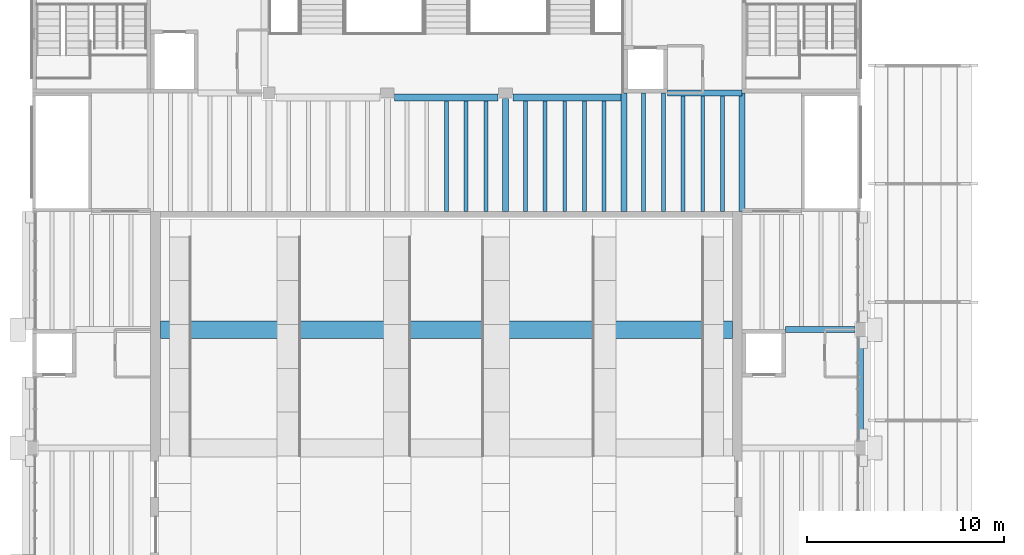
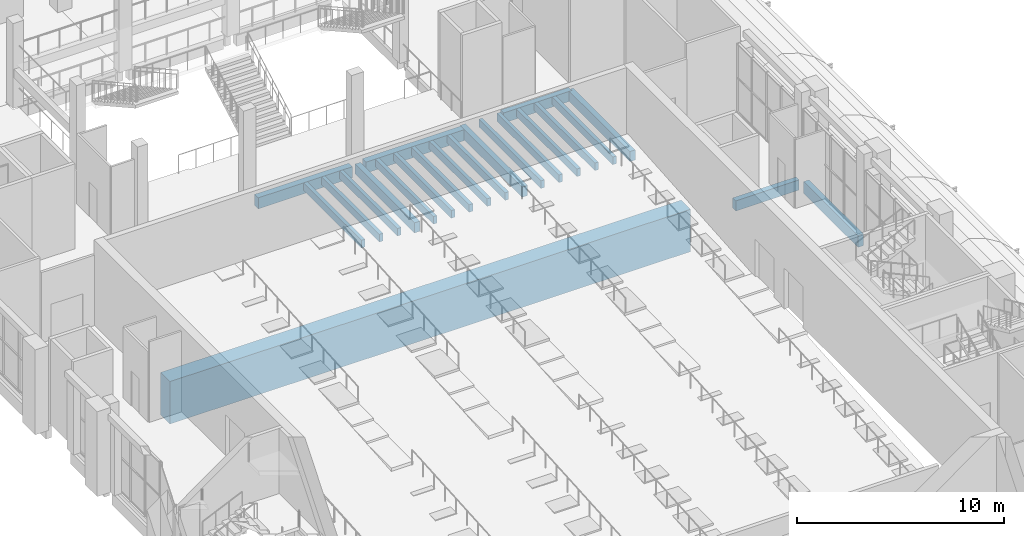
# One storey, part 22 of 80: 22 beams.
"""IFC4 building model written with IfcOpenShell, lengths in metres."""

from ifc_helpers import new_model, si_unit, direction, frame, origin, origin_2d, place, context, subcontext, project, spatial, rectangle, extrude, material, material_profile, profile_set, type_object, element, save


model = new_model("IFC4")

# Units and contexts
model_context = context("Model", 3, precision=1e-05, world=origin(), true_north=direction((0.0, 1.0)))
body_context = subcontext(model_context, "Body", "Model", "MODEL_VIEW")
ifc_project = project(units=[si_unit("LENGTHUNIT", "METRE"), si_unit("AREAUNIT", "SQUARE_METRE"), si_unit("VOLUMEUNIT", "CUBIC_METRE"), si_unit("PLANEANGLEUNIT", "RADIAN"), si_unit("MASSUNIT", "GRAM", prefix="KILO")], contexts=[model_context])

# Site, building, storey
site_placement = place(None, origin())
site = spatial("IfcSite", under=ifc_project, at=site_placement, CompositionType="ELEMENT")
building_placement = place(site_placement, origin())
building = spatial("IfcBuilding", under=site, at=building_placement, Name="Saffron Lane Theatres", CompositionType="ELEMENT")
storey_placement = place(building_placement, frame((0.0, 0.0, 7.0)))
storey = spatial("IfcBuildingStorey", under=building, at=storey_placement, Name="L01", CompositionType="ELEMENT", Elevation=7.0)

# Beams
ifc_material_1 = material(Name="Concrete N40 (40 MPa)", Category="concrete")
ifc_material_profile_1 = material_profile(ifc_material_1, rectangle(XDim=0.300048828125, YDim=0.60009765625, at=origin_2d()))
ifc_profile_set_1 = profile_set([ifc_material_profile_1], Name="Concrete N40 (40 MPa)")
beam_type_1 = type_object("IfcBeamType", Name="RC-BEAM 300x600", PredefinedType="BEAM", material=ifc_profile_set_1)
beam_1_placement = place(storey_placement, frame((50.199951171875, 84.0, -0.550048828125), z_axis=(1.0, 0.0, 0.0), x_axis=(0.0, 1.0, 0.0)))
element("IfcBeam", 1, at=beam_1_placement, inside=storey, type_object=beam_type_1, Name="beam-L01-x840-502", PredefinedType="BEAM", context=body_context, shape_type="SweptSolid", body=[
    extrude(rectangle(XDim=0.300048828125, YDim=0.60009765625, at=origin_2d()), origin(), (0.0, 0.0, 1.0), 3.525146484375),
])
beam_2_placement = place(storey_placement, frame((44.199951171875, 96.0, -0.550048828125), z_axis=(1.0, 0.0, 0.0), x_axis=(0.0, 1.0, 0.0)))
element("IfcBeam", 2, at=beam_2_placement, inside=storey, type_object=beam_type_1, Name="beam-L01-x960-442", PredefinedType="BEAM", context=body_context, shape_type="SweptSolid", body=[
    extrude(rectangle(XDim=0.300048828125, YDim=0.60009765625, at=origin_2d()), origin(), (0.0, 0.0, 1.0), 3.800048828125),
])
beam_3_placement = place(storey_placement, frame((36.0, 90.0, -0.550048828125), z_axis=(0.0, 1.0, 0.0), x_axis=(-1.0, 0.0, 0.0)))
element("IfcBeam", 3, at=beam_3_placement, inside=storey, type_object=beam_type_1, Name="beam-L01-y360-900", PredefinedType="BEAM", context=body_context, shape_type="SweptSolid", body=[
    extrude(rectangle(XDim=0.300048828125, YDim=0.60009765625, at=origin_2d()), origin(), (0.0, 0.0, 1.0), 5.72509765625),
])
for number, where, z_axis, x_axis, name in (
    (4, (42.0, 90.0, -0.550048828125), (0.0, 1.0, 0.0), (-1.0, 0.0, 0.0), "beam-L01-y420-900"),
    (5, (48.0, 90.0, -0.550048828125), (0.0, 1.0, 0.0), (-1.0, 0.0, 0.0), "beam-L01-y480-900"),
):
    element("IfcBeam", number, at=place(storey_placement, frame(where, z_axis=z_axis, x_axis=x_axis)), inside=storey, type_object=beam_type_1, Name=name, PredefinedType="BEAM", context=body_context, shape_type="SweptSolid", body=[
        extrude(rectangle(XDim=0.300048828125, YDim=0.60009765625, at=origin_2d()), origin(), (0.0, 0.0, 1.0), 6.0),
    ])
ifc_material_2 = material(Name="Concrete N40 (40 MPa)", Category="concrete")
ifc_material_profile_2 = material_profile(ifc_material_2, rectangle(XDim=0.300048828125, YDim=0.699951171875, at=origin_2d()))
ifc_profile_set_2 = profile_set([ifc_material_profile_2], Name="Concrete N40 (40 MPa)")
beam_type_2 = type_object("IfcBeamType", Name="RC-BEAM 300x700", PredefinedType="BEAM", material=ifc_profile_set_2)
beam_4_placement = place(storey_placement, frame((54.0, 78.375, -0.60009765625), z_axis=(0.0, 1.0, 0.0), x_axis=(-1.0, 0.0, 0.0)))
element("IfcBeam", 6, at=beam_4_placement, inside=storey, type_object=beam_type_2, Name="beam-L01-y540-784", PredefinedType="BEAM", context=body_context, shape_type="SweptSolid", body=[
    extrude(rectangle(XDim=0.300048828125, YDim=0.699951171875, at=origin_2d()), origin(), (0.0, 0.0, 1.0), 5.25),
])
ifc_material_3 = material(Name="Concrete N40 (40 MPa)", Category="concrete")
ifc_material_profile_3 = material_profile(ifc_material_3, rectangle(XDim=0.35009765625, YDim=0.64990234375, at=origin_2d()))
ifc_profile_set_3 = profile_set([ifc_material_profile_3], Name="Concrete N40 (40 MPa)")
beam_type_3 = type_object("IfcBeamType", Name="RC-BEAM 350x650", PredefinedType="BEAM", material=ifc_profile_set_3)
beam_5_placement = place(storey_placement, frame((30.375, 95.764892578125, -0.574951171875), z_axis=(1.0, 0.0, 0.0), x_axis=(0.0, 1.0, 0.0)))
element("IfcBeam", 7, at=beam_5_placement, inside=storey, type_object=beam_type_3, Name="beam-L01-x960-304", PredefinedType="BEAM", context=body_context, shape_type="SweptSolid", body=[
    extrude(rectangle(XDim=0.35009765625, YDim=0.64990234375, at=origin_2d()), origin(), (0.0, 0.0, 1.0), 5.25),
])
beam_6_placement = place(storey_placement, frame((36.375, 95.764892578125, -0.574951171875), z_axis=(1.0, 0.0, 0.0), x_axis=(0.0, 1.0, 0.0)))
element("IfcBeam", 8, at=beam_6_placement, inside=storey, type_object=beam_type_3, Name="beam-L01-x960-364", PredefinedType="BEAM", context=body_context, shape_type="SweptSolid", body=[
    extrude(rectangle(XDim=0.35009765625, YDim=0.64990234375, at=origin_2d()), origin(), (0.0, 0.0, 1.0), 5.625),
])
ifc_material_4 = material(Name="Concrete N50 (50 MPa)", Category="concrete")
ifc_material_profile_4 = material_profile(ifc_material_4, rectangle(XDim=0.89990234375, YDim=2.5, at=origin_2d()))
ifc_profile_set_4 = profile_set([ifc_material_profile_4], Name="Concrete N50 (50 MPa)")
beam_type_4 = type_object("IfcBeamType", Name="RC-BEAM 900x2500", PredefinedType="BEAM", material=ifc_profile_set_4)
beam_7_placement = place(storey_placement, frame((18.5, 84.0, -0.865966796875), z_axis=(1.0, 0.0, 0.0), x_axis=(0.0, 1.0, 0.0)))
element("IfcBeam", 9, at=beam_7_placement, inside=storey, type_object=beam_type_4, Name="beam-L01-stalls-girder-84", PredefinedType="BEAM", context=body_context, shape_type="SweptSolid", body=[
    extrude(rectangle(XDim=0.89990234375, YDim=2.5, at=origin_2d()), origin(), (0.0, 0.0, 1.0), 29.0),
])
ifc_material_5 = material(Name="Concrete N40 (40 MPa)", Category="concrete")
ifc_material_profile_5 = material_profile(ifc_material_5, rectangle(XDim=0.199951171875, YDim=0.449951171875, at=origin_2d()))
ifc_profile_set_5 = profile_set([ifc_material_profile_5], Name="Concrete N40 (40 MPa)")
beam_type_5 = type_object("IfcBeamType", Name="RC-JOIST 200x450", PredefinedType="JOIST", material=ifc_profile_set_5)
for number, where, z_axis, x_axis, name in (
    (10, (33.0, 90.0, -0.47509765625), (0.0, 1.0, 0.0), (-1.0, 0.0, 0.0), "joist-L01-y3300-900"),
    (11, (34.0, 90.0, -0.47509765625), (0.0, 1.0, 0.0), (-1.0, 0.0, 0.0), "joist-L01-y3400-900"),
    (12, (35.0, 90.0, -0.47509765625), (0.0, 1.0, 0.0), (-1.0, 0.0, 0.0), "joist-L01-y3500-900"),
    (13, (37.0, 90.0, -0.47509765625), (0.0, 1.0, 0.0), (-1.0, 0.0, 0.0), "joist-L01-y3700-900"),
    (14, (38.0, 90.0, -0.47509765625), (0.0, 1.0, 0.0), (-1.0, 0.0, 0.0), "joist-L01-y3800-900"),
    (15, (39.0, 90.0, -0.47509765625), (0.0, 1.0, 0.0), (-1.0, 0.0, 0.0), "joist-L01-y3900-900"),
    (16, (40.0, 90.0, -0.47509765625), (0.0, 1.0, 0.0), (-1.0, 0.0, 0.0), "joist-L01-y4000-900"),
    (17, (41.0, 90.0, -0.47509765625), (0.0, 1.0, 0.0), (-1.0, 0.0, 0.0), "joist-L01-y4100-900"),
):
    element("IfcBeam", number, at=place(storey_placement, frame(where, z_axis=z_axis, x_axis=x_axis)), inside=storey, type_object=beam_type_5, Name=name, PredefinedType="JOIST", context=body_context, shape_type="SweptSolid", body=[
        extrude(rectangle(XDim=0.199951171875, YDim=0.449951171875, at=origin_2d()), origin(), (0.0, 0.0, 1.0), 5.590087890625),
    ])
for number, where, z_axis, x_axis, name in (
    (18, (43.0, 90.0, -0.47509765625), (0.0, 1.0, 0.0), (-1.0, 0.0, 0.0), "joist-L01-y4300-900"),
    (19, (44.0, 90.0, -0.47509765625), (0.0, 1.0, 0.0), (-1.0, 0.0, 0.0), "joist-L01-y4400-900"),
):
    element("IfcBeam", number, at=place(storey_placement, frame(where, z_axis=z_axis, x_axis=x_axis)), inside=storey, type_object=beam_type_5, Name=name, PredefinedType="JOIST", context=body_context, shape_type="SweptSolid", body=[
        extrude(rectangle(XDim=0.199951171875, YDim=0.449951171875, at=origin_2d()), origin(), (0.0, 0.0, 1.0), 6.0),
    ])
for number, where, z_axis, x_axis, name in (
    (20, (45.0, 90.0, -0.47509765625), (0.0, 1.0, 0.0), (-1.0, 0.0, 0.0), "joist-L01-y4500-900"),
    (21, (46.0, 90.0, -0.47509765625), (0.0, 1.0, 0.0), (-1.0, 0.0, 0.0), "joist-L01-y4600-900"),
    (22, (47.0, 90.0, -0.47509765625), (0.0, 1.0, 0.0), (-1.0, 0.0, 0.0), "joist-L01-y4700-900"),
):
    element("IfcBeam", number, at=place(storey_placement, frame(where, z_axis=z_axis, x_axis=x_axis)), inside=storey, type_object=beam_type_5, Name=name, PredefinedType="JOIST", context=body_context, shape_type="SweptSolid", body=[
        extrude(rectangle(XDim=0.199951171875, YDim=0.449951171875, at=origin_2d()), origin(), (0.0, 0.0, 1.0), 5.85009765625),
    ])

save(model, "model.ifc")
